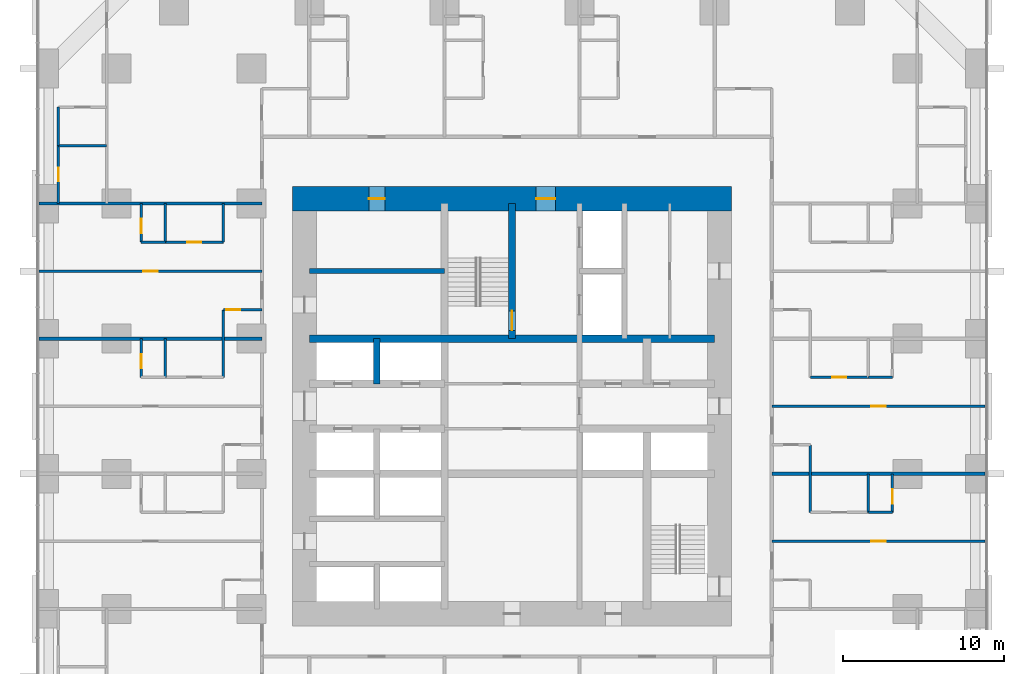
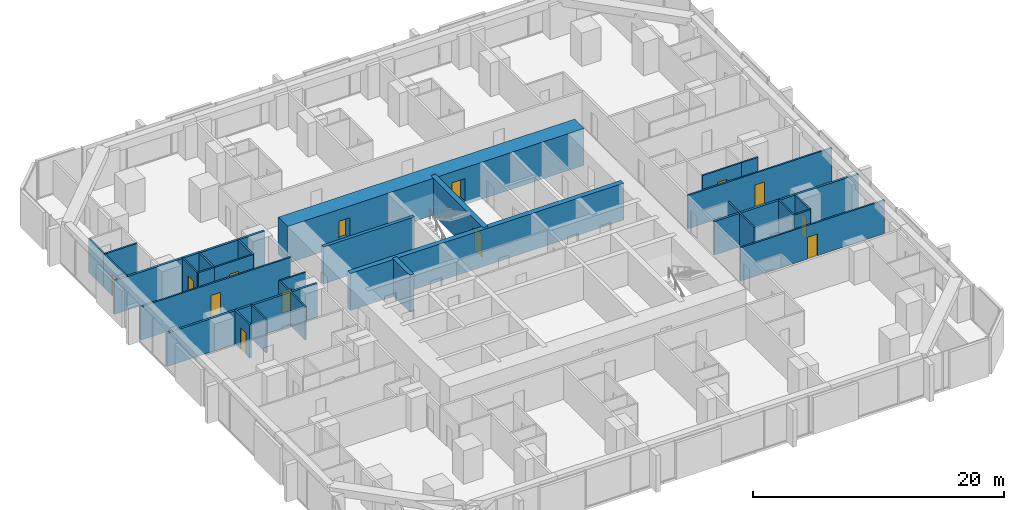
# One storey, part 14 of 17: 29 walls, 13 doors, 13 openings.
"""IFC4 building model written with IfcOpenShell, lengths in metres."""

from ifc_helpers import new_model, si_unit, direction, frame, frame_2d, origin, place, context, subcontext, project, spatial, rectangle, extrude, material, layer, layer_set, type_object, element, fill, save


model = new_model("IFC4")

# Units and contexts
model_context = context("Model", 3, precision=1e-05, world=origin(), true_north=direction((0.0, 1.0)))
body_context = subcontext(model_context, "Body", "Model", "MODEL_VIEW")
ifc_project = project(units=[si_unit("LENGTHUNIT", "METRE"), si_unit("AREAUNIT", "SQUARE_METRE"), si_unit("VOLUMEUNIT", "CUBIC_METRE"), si_unit("PLANEANGLEUNIT", "RADIAN"), si_unit("MASSUNIT", "GRAM", prefix="KILO")], contexts=[model_context])

# Site, building, storey
site_placement = place(None, origin())
site = spatial("IfcSite", under=ifc_project, at=site_placement, CompositionType="ELEMENT")
building_placement = place(site_placement, origin())
building = spatial("IfcBuilding", under=site, at=building_placement, Name="Dunama Terrace Hotel", CompositionType="ELEMENT")
storey_placement = place(building_placement, frame((0.0, 0.0, 55.800048828125)))
storey = spatial("IfcBuildingStorey", under=building, at=storey_placement, Name="L13", CompositionType="ELEMENT", Elevation=55.800048828125)

# Wall, opening, door
ifc_material_1 = material(Name="Gypsum board partition", Category="masonry")
ifc_layer_1 = layer(ifc_material_1, 0.14990234375)
ifc_layer_set_1 = layer_set([ifc_layer_1], Name="Bathroom partition 150")
wall_type_1 = type_object("IfcWallType", Name="Bathroom partition 150", PredefinedType="PARTITIONING", material=ifc_layer_set_1)
wall_1_placement = place(storey_placement, frame((1.199951171875, 42.0, 0.0), z_axis=(0.0, 0.0, 1.0), x_axis=(0.0, 1.0, 0.0)))
wall_1 = element("IfcWall", 1, at=wall_1_placement, inside=storey, type_object=wall_type_1, Name="Bathroom partition 150 L13", PredefinedType="PARTITIONING", context=body_context, shape_type="SweptSolid", body=[
    extrude(rectangle(XDim=3.60009765625, YDim=0.14990234375, at=frame_2d((1.800048828125, 0.0))), origin(), (0.0, 0.0, 1.0), 3.25),
])
opening_1_placement = place(wall_1_placement, frame((1.375, 0.0, 0.0)))
opening_1 = element("IfcOpeningElement", 2, at=opening_1_placement, cuts=wall_1, Name="Opening L13-14-075", PredefinedType="OPENING", context=body_context, shape_type="SweptSolid", body=[
    extrude(rectangle(XDim=0.85009765625, YDim=2.10009765625, at=frame_2d((0.425048828125, 1.050048828125))), frame((0.0, 0.0849609375, 0.0), z_axis=(0.0, -1.0, 0.0), x_axis=(1.0, 0.0, 0.0)), (0.0, 0.0, 1.0), 0.169921875),
])
ifc_material_2 = material(Name="Timber door with steel frame", Category="steel")
door_type_1 = type_object("IfcDoorType", Name="Bathroom door 850", OperationType="SINGLE_SWING_LEFT", PredefinedType="DOOR", material=ifc_material_2)
door_1_placement = place(opening_1_placement, frame((0.85009765625, 0.0, 0.0), z_axis=(0.0, 0.0, 1.0), x_axis=(-1.0, 0.0, 0.0)))
door_1 = element("IfcDoor", 3, at=door_1_placement, inside=storey, type_object=door_type_1, Name="Door to en-suite bathroom L13-14-075, type D2", OperationType="SINGLE_SWING_RIGHT", OverallHeight=2.10009765625, OverallWidth=0.85009765625, PredefinedType="DOOR", context=body_context, shape_type="SweptSolid", body=[
    extrude(rectangle(XDim=0.85009765625, YDim=2.10009765625, at=frame_2d((0.425048828125, 1.050048828125))), frame((0.0, 0.025146484375, 0.0), z_axis=(0.0, -1.0, 0.0), x_axis=(1.0, 0.0, 0.0)), (0.0, 0.0, 1.0), 0.050048828125),
])
fill(opening_1, door_1)

# Walls
wall_2_placement = place(storey_placement, frame((11.449951171875, 31.199951171875, 0.0), z_axis=(0.0, 0.0, 1.0), x_axis=(0.0, 1.0, 0.0)))
element("IfcWall", 4, at=wall_2_placement, inside=storey, type_object=wall_type_1, Name="Bathroom partition 150 L13", PredefinedType="PARTITIONING", context=body_context, shape_type="SweptSolid", body=[
    extrude(rectangle(XDim=4.199951171875, YDim=0.14990234375, at=frame_2d((2.10009765625, 0.0))), origin(), (0.0, 0.0, 1.0), 3.25),
])
wall_3_placement = place(storey_placement, frame((11.449951171875, 39.60009765625, 0.0), z_axis=(0.0, 0.0, 1.0), x_axis=(0.0, 1.0, 0.0)))
element("IfcWall", 5, at=wall_3_placement, inside=storey, type_object=wall_type_1, Name="Bathroom partition 150 L13", PredefinedType="PARTITIONING", context=body_context, shape_type="SweptSolid", body=[
    extrude(rectangle(XDim=2.39990234375, YDim=0.14990234375, at=frame_2d((1.199951171875, 0.0))), origin(), (0.0, 0.0, 1.0), 3.25),
])
wall_4_placement = place(storey_placement, frame((47.949951171875, 22.800048828125, 0.0), z_axis=(0.0, 0.0, 1.0), x_axis=(0.0, 1.0, 0.0)))
element("IfcWall", 6, at=wall_4_placement, inside=storey, type_object=wall_type_1, Name="Bathroom partition 150 L13", PredefinedType="PARTITIONING", context=body_context, shape_type="SweptSolid", body=[
    extrude(rectangle(XDim=4.199951171875, YDim=0.14990234375, at=frame_2d((2.10009765625, 0.0))), origin(), (0.0, 0.0, 1.0), 3.25),
])

# Wall, opening, door
wall_5_placement = place(storey_placement, frame((47.949951171875, 31.199951171875, 0.0), z_axis=(0.0, 0.0, 1.0), x_axis=(1.0, 0.0, 0.0)))
wall_5 = element("IfcWall", 7, at=wall_5_placement, inside=storey, type_object=wall_type_1, Name="Bathroom partition 150 L13", PredefinedType="PARTITIONING", context=body_context, shape_type="SweptSolid", body=[
    extrude(rectangle(XDim=3.60009765625, YDim=0.14990234375, at=frame_2d((1.800048828125, 0.0))), origin(), (0.0, 0.0, 1.0), 3.25),
])
opening_2_placement = place(wall_5_placement, frame((1.375, 0.0, 0.0)))
opening_2 = element("IfcOpeningElement", 8, at=opening_2_placement, cuts=wall_5, Name="Opening L13-14-026", PredefinedType="OPENING", context=body_context, shape_type="SweptSolid", body=[
    extrude(rectangle(XDim=0.85009765625, YDim=2.10009765625, at=frame_2d((0.425048828125, 1.050048828125))), frame((0.0, 0.0849609375, 0.0), z_axis=(0.0, -1.0, 0.0), x_axis=(1.0, 0.0, 0.0)), (0.0, 0.0, 1.0), 0.169921875),
])
door_2_placement = place(opening_2_placement, origin())
door_2 = element("IfcDoor", 9, at=door_2_placement, inside=storey, type_object=door_type_1, Name="Door to en-suite bathroom L13-14-026, type D2", OperationType="SINGLE_SWING_RIGHT", OverallHeight=2.10009765625, OverallWidth=0.85009765625, PredefinedType="DOOR", context=body_context, shape_type="SweptSolid", body=[
    extrude(rectangle(XDim=0.85009765625, YDim=2.10009765625, at=frame_2d((0.425048828125, 1.050048828125))), frame((0.0, 0.02490234375, 0.0), z_axis=(0.0, -1.0, 0.0), x_axis=(1.0, 0.0, 0.0)), (0.0, 0.0, 1.0), 0.050048828125),
])
fill(opening_2, door_2)

wall_6_placement = place(storey_placement, frame((11.449951171875, 35.39990234375, 0.0), z_axis=(0.0, 0.0, 1.0), x_axis=(1.0, 0.0, 0.0)))
wall_6 = element("IfcWall", 10, at=wall_6_placement, inside=storey, type_object=wall_type_1, Name="Bathroom partition 150 L13", PredefinedType="PARTITIONING", context=body_context, shape_type="SweptSolid", body=[
    extrude(rectangle(XDim=2.400146484375, YDim=0.14990234375, at=frame_2d((1.2001953125, 0.0))), origin(), (0.0, 0.0, 1.0), 3.25),
])
opening_3_placement = place(wall_6_placement, frame((0.199951171875, 0.0, 0.0)))
opening_3 = element("IfcOpeningElement", 11, at=opening_3_placement, cuts=wall_6, Name="Opening L13-14-053", PredefinedType="OPENING", context=body_context, shape_type="SweptSolid", body=[
    extrude(rectangle(XDim=0.85009765625, YDim=2.10009765625, at=frame_2d((0.425048828125, 1.050048828125))), frame((0.0, 0.0849609375, 0.0), z_axis=(0.0, -1.0, 0.0), x_axis=(1.0, 0.0, 0.0)), (0.0, 0.0, 1.0), 0.169921875),
])
door_3_placement = place(opening_3_placement, frame((0.85009765625, 0.0, 0.0), z_axis=(0.0, 0.0, 1.0), x_axis=(-1.0, 0.0, 0.0)))
door_3 = element("IfcDoor", 12, at=door_3_placement, inside=storey, type_object=door_type_1, Name="Door to powder room L13-14-053, type D2", OperationType="SINGLE_SWING_LEFT", OverallHeight=2.10009765625, OverallWidth=0.85009765625, PredefinedType="DOOR", context=body_context, shape_type="SweptSolid", body=[
    extrude(rectangle(XDim=0.85009765625, YDim=2.10009765625, at=frame_2d((0.425048828125, 1.050048828125))), frame((0.0, 0.025146484375, 0.0), z_axis=(0.0, -1.0, 0.0), x_axis=(1.0, 0.0, 0.0)), (0.0, 0.0, 1.0), 0.050048828125),
])
fill(opening_3, door_3)

wall_7_placement = place(storey_placement, frame((7.85009765625, 39.60009765625, 0.0), z_axis=(0.0, 0.0, 1.0), x_axis=(1.0, 0.0, 0.0)))
wall_7 = element("IfcWall", 13, at=wall_7_placement, inside=storey, type_object=wall_type_1, Name="Bathroom partition 150 L13", PredefinedType="PARTITIONING", context=body_context, shape_type="SweptSolid", body=[
    extrude(rectangle(XDim=3.599853515625, YDim=0.14990234375, at=frame_2d((1.7998046875, 0.0))), origin(), (0.0, 0.0, 1.0), 3.25),
])
opening_4_placement = place(wall_7_placement, frame((1.375, 0.0, 0.0)))
opening_4 = element("IfcOpeningElement", 14, at=opening_4_placement, cuts=wall_7, Name="Opening L13-14-055", PredefinedType="OPENING", context=body_context, shape_type="SweptSolid", body=[
    extrude(rectangle(XDim=0.85009765625, YDim=2.10009765625, at=frame_2d((0.425048828125, 1.050048828125))), frame((0.0, 0.0849609375, 0.0), z_axis=(0.0, -1.0, 0.0), x_axis=(1.0, 0.0, 0.0)), (0.0, 0.0, 1.0), 0.169921875),
])
door_4_placement = place(opening_4_placement, origin())
door_4 = element("IfcDoor", 15, at=door_4_placement, inside=storey, type_object=door_type_1, Name="Door to en-suite bathroom L13-14-055, type D2", OperationType="SINGLE_SWING_LEFT", OverallHeight=2.10009765625, OverallWidth=0.85009765625, PredefinedType="DOOR", context=body_context, shape_type="SweptSolid", body=[
    extrude(rectangle(XDim=0.85009765625, YDim=2.10009765625, at=frame_2d((0.425048828125, 1.050048828125))), frame((0.0, 0.02490234375, 0.0), z_axis=(0.0, -1.0, 0.0), x_axis=(1.0, 0.0, 0.0)), (0.0, 0.0, 1.0), 0.050048828125),
])
fill(opening_4, door_4)

# Walls
ifc_material_3 = material(Name="Concrete C50/60", Category="concrete")
ifc_layer_2 = layer(ifc_material_3, 0.300048828125)
ifc_layer_set_2 = layer_set([ifc_layer_2], Name="Core inner wall 300")
wall_type_2 = type_object("IfcWallType", Name="Core inner wall 300", PredefinedType="SHEAR", material=ifc_layer_set_2)
wall_8_placement = place(storey_placement, frame((16.800048828125, 37.800048828125, -0.35009765625), z_axis=(0.0, 0.0, 1.0), x_axis=(1.0, 0.0, 0.0)))
element("IfcWall", 16, at=wall_8_placement, inside=storey, type_object=wall_type_2, Name="Core inner wall 300 L13", PredefinedType="SHEAR", context=body_context, shape_type="SweptSolid", body=[
    extrude(rectangle(XDim=8.39990234375, YDim=0.300048828125, at=frame_2d((4.199951171875, 0.0))), origin(), (0.0, 0.0, 1.0), 3.60009765625),
])
ifc_material_4 = material(Name="Concrete C50/60", Category="concrete")
ifc_layer_3 = layer(ifc_material_4, 0.39990234375)
ifc_layer_set_3 = layer_set([ifc_layer_3], Name="Core inner wall 400")
wall_type_3 = type_object("IfcWallType", Name="Core inner wall 400", PredefinedType="SHEAR", material=ifc_layer_set_3)
wall_9_placement = place(storey_placement, frame((21.0, 30.800048828125, -0.35009765625), z_axis=(0.0, 0.0, 1.0), x_axis=(0.0, 1.0, 0.0)))
element("IfcWall", 17, at=wall_9_placement, inside=storey, type_object=wall_type_3, Name="Core inner wall 400 L13", PredefinedType="SHEAR", context=body_context, shape_type="SweptSolid", body=[
    extrude(rectangle(XDim=2.800048828125, YDim=0.39990234375, at=frame_2d((1.39990234375, 0.0))), origin(), (0.0, 0.0, 1.0), 3.60009765625),
])

# Wall, opening, door
ifc_material_5 = material(Name="Concrete C50/60", Category="concrete")
ifc_layer_4 = layer(ifc_material_5, 0.449951171875)
ifc_layer_set_4 = layer_set([ifc_layer_4], Name="Core inner wall 450")
wall_type_4 = type_object("IfcWallType", Name="Core inner wall 450", PredefinedType="SHEAR", material=ifc_layer_set_4)
wall_10_placement = place(storey_placement, frame((29.39990234375, 33.60009765625, -0.35009765625), z_axis=(0.0, 0.0, 1.0), x_axis=(0.0, 1.0, 0.0)))
wall_10 = element("IfcWall", 18, at=wall_10_placement, inside=storey, type_object=wall_type_4, Name="Core inner wall 450 L13", PredefinedType="SHEAR", context=body_context, shape_type="SweptSolid", body=[
    extrude(rectangle(XDim=8.39990234375, YDim=0.449951171875, at=frame_2d((4.199951171875, 0.0))), origin(), (0.0, 0.0, 1.0), 3.60009765625),
])
opening_5_placement = place(wall_10_placement, frame((0.52490234375, 0.0, 0.35009765625)))
opening_5 = element("IfcOpeningElement", 19, at=opening_5_placement, cuts=wall_10, Name="Opening L13-14-001", PredefinedType="OPENING", context=body_context, shape_type="SweptSolid", body=[
    extrude(rectangle(XDim=1.199951171875, YDim=2.199951171875, at=frame_2d((0.60009765625, 1.10009765625))), frame((0.0, 0.23486328125, 0.0), z_axis=(0.0, -1.0, 0.0), x_axis=(1.0, 0.0, 0.0)), (0.0, 0.0, 1.0), 0.469970703125),
])
ifc_material_6 = material(Name="Timber door with steel frame", Category="steel")
door_type_2 = type_object("IfcDoorType", Name="Stair door 1200", OperationType="SINGLE_SWING_LEFT", PredefinedType="DOOR", material=ifc_material_6)
door_5_placement = place(opening_5_placement, origin())
door_5 = element("IfcDoor", 20, at=door_5_placement, inside=storey, type_object=door_type_2, Name="Stair door ST1 L13-14-001, type D5", OperationType="SINGLE_SWING_LEFT", OverallHeight=2.199951171875, OverallWidth=1.199951171875, PredefinedType="DOOR", context=body_context, shape_type="SweptSolid", body=[
    extrude(rectangle(XDim=1.199951171875, YDim=2.199951171875, at=frame_2d((0.60009765625, 1.10009765625))), frame((0.0, 0.02490234375, 0.0), z_axis=(0.0, -1.0, 0.0), x_axis=(1.0, 0.0, 0.0)), (0.0, 0.0, 1.0), 0.050048828125),
])
fill(opening_5, door_5)

# Wall
wall_11_placement = place(storey_placement, frame((16.800048828125, 33.60009765625, -0.35009765625), z_axis=(0.0, 0.0, 1.0), x_axis=(1.0, 0.0, 0.0)))
element("IfcWall", 21, at=wall_11_placement, inside=storey, type_object=wall_type_4, Name="Core inner wall 450 L13", PredefinedType="SHEAR", context=body_context, shape_type="SweptSolid", body=[
    extrude(rectangle(XDim=25.199951171875, YDim=0.449951171875, at=frame_2d((12.60009765625, 0.0))), origin(), (0.0, 0.0, 1.0), 3.60009765625),
])

# Wall, openings, doors
ifc_material_7 = material(Name="Concrete C60/75", Category="concrete")
ifc_layer_5 = layer(ifc_material_7, 1.5)
ifc_layer_set_5 = layer_set([ifc_layer_5], Name="Core wall 1500")
wall_type_5 = type_object("IfcWallType", Name="Core wall 1500", PredefinedType="SHEAR", material=ifc_layer_set_5)
wall_12_placement = place(storey_placement, frame((43.050048828125, 42.300048828125, -0.35009765625), z_axis=(0.0, 0.0, 1.0), x_axis=(-1.0, 0.0, 0.0)))
wall_12 = element("IfcWall", 22, at=wall_12_placement, inside=storey, type_object=wall_type_5, Name="Core wall north L13", PredefinedType="SHEAR", context=body_context, shape_type="SweptSolid", body=[
    extrude(rectangle(XDim=27.300048828125, YDim=1.5, at=frame_2d((13.64990234375, 0.0))), origin(), (0.0, 0.0, 1.0), 3.60009765625),
])
opening_6_placement = place(wall_12_placement, frame((21.550048828125, 0.0, 0.35009765625)))
opening_6 = element("IfcOpeningElement", 23, at=opening_6_placement, cuts=wall_12, Name="Opening L13-14-080", PredefinedType="OPENING", context=body_context, shape_type="SweptSolid", body=[
    extrude(rectangle(XDim=1.0, YDim=2.10009765625, at=frame_2d((0.5, 1.050048828125))), frame((0.0, 0.760009765625, 0.0), z_axis=(0.0, -1.0, 0.0), x_axis=(1.0, 0.0, 0.0)), (0.0, 0.0, 1.0), 1.52001953125),
])
opening_7_placement = place(wall_12_placement, frame((10.949951171875, 0.0, 0.35009765625)))
opening_7 = element("IfcOpeningElement", 24, at=opening_7_placement, cuts=wall_12, Name="Opening L13-14-087", PredefinedType="OPENING", context=body_context, shape_type="SweptSolid", body=[
    extrude(rectangle(XDim=1.199951171875, YDim=2.199951171875, at=frame_2d((0.60009765625, 1.10009765625))), frame((0.0, 0.760009765625, 0.0), z_axis=(0.0, -1.0, 0.0), x_axis=(1.0, 0.0, 0.0)), (0.0, 0.0, 1.0), 1.52001953125),
])
ifc_material_8 = material(Name="Timber door with steel frame", Category="steel")
door_type_3 = type_object("IfcDoorType", Name="Firefighting lobby door 1200", OperationType="SINGLE_SWING_LEFT", PredefinedType="DOOR", material=ifc_material_8)
door_6_placement = place(opening_7_placement, origin())
door_6 = element("IfcDoor", 25, at=door_6_placement, inside=storey, type_object=door_type_3, Name="Door to firefighting lobby L13-14-087, type D4", OperationType="SINGLE_SWING_RIGHT", OverallHeight=2.199951171875, OverallWidth=1.199951171875, PredefinedType="DOOR", context=body_context, shape_type="SweptSolid", body=[
    extrude(rectangle(XDim=1.199951171875, YDim=2.199951171875, at=frame_2d((0.60009765625, 1.10009765625))), frame((0.0, 0.02490234375, 0.0), z_axis=(0.0, -1.0, 0.0), x_axis=(1.0, 0.0, 0.0)), (0.0, 0.0, 1.0), 0.050048828125),
])
fill(opening_7, door_6)
ifc_material_9 = material(Name="Timber door with steel frame", Category="steel")
door_type_4 = type_object("IfcDoorType", Name="Service door 1000", OperationType="SINGLE_SWING_LEFT", PredefinedType="DOOR", material=ifc_material_9)
door_7_placement = place(opening_6_placement, origin())
door_7 = element("IfcDoor", 26, at=door_7_placement, inside=storey, type_object=door_type_4, Name="Door to communications and riser room L13-14-080, type D7", OperationType="SINGLE_SWING_RIGHT", OverallHeight=2.10009765625, OverallWidth=1.0, PredefinedType="DOOR", context=body_context, shape_type="SweptSolid", body=[
    extrude(rectangle(XDim=1.0, YDim=2.10009765625, at=frame_2d((0.5, 1.050048828125))), frame((0.0, 0.02490234375, 0.0), z_axis=(0.0, -1.0, 0.0), x_axis=(1.0, 0.0, 0.0)), (0.0, 0.0, 1.0), 0.050048828125),
])
fill(opening_6, door_7)

# Walls
ifc_material_10 = material(Name="Concrete blockwork", Category="masonry")
ifc_layer_6 = layer(ifc_material_10, 0.199951171875)
ifc_layer_set_6 = layer_set([ifc_layer_6], Name="Party wall 200")
wall_type_6 = type_object("IfcWallType", Name="Party wall 200", PredefinedType="PARTITIONING", material=ifc_layer_set_6)
wall_13_placement = place(storey_placement, frame((45.550048828125, 25.199951171875, 0.0), z_axis=(0.0, 0.0, 1.0), x_axis=(1.0, 0.0, 0.0)))
element("IfcWall", 27, at=wall_13_placement, inside=storey, type_object=wall_type_6, Name="Party wall 200 L13", PredefinedType="PARTITIONING", context=body_context, shape_type="SweptSolid", body=[
    extrude(rectangle(XDim=13.258056640625, YDim=0.199951171875, at=frame_2d((6.62890625, 0.0))), origin(), (0.0, 0.0, 1.0), 3.25),
])
for number, where, z_axis, x_axis, name in (
    (28, (-0.008056640625, 33.60009765625, 0.0), (0.0, 0.0, 1.0), (1.0, 0.0, 0.0), "Party wall 200 L13"),
    (29, (-0.008056640625, 42.0, 0.0), (0.0, 0.0, 1.0), (1.0, 0.0, 0.0), "Party wall 200 L13"),
):
    element("IfcWall", number, at=place(storey_placement, frame(where, z_axis=z_axis, x_axis=x_axis)), inside=storey, type_object=wall_type_6, Name=name, PredefinedType="PARTITIONING", context=body_context, shape_type="SweptSolid", body=[
        extrude(rectangle(XDim=13.858154296875, YDim=0.199951171875, at=frame_2d((6.92919921875, 0.0))), origin(), (0.0, 0.0, 1.0), 3.25),
    ])
ifc_material_11 = material(Name="Gypsum board partition", Category="masonry")
ifc_layer_7 = layer(ifc_material_11, 0.14990234375)
ifc_layer_set_7 = layer_set([ifc_layer_7], Name="Room partition 150")
wall_type_7 = type_object("IfcWallType", Name="Room partition 150", PredefinedType="PARTITIONING", material=ifc_layer_set_7)
wall_14_placement = place(storey_placement, frame((1.199951171875, 45.60009765625, 0.0), z_axis=(0.0, 0.0, 1.0), x_axis=(0.0, 1.0, 0.0)))
element("IfcWall", 30, at=wall_14_placement, inside=storey, type_object=wall_type_7, Name="Room partition 150 L13", PredefinedType="PARTITIONING", context=body_context, shape_type="SweptSolid", body=[
    extrude(rectangle(XDim=2.39990234375, YDim=0.14990234375, at=frame_2d((1.199951171875, 0.0))), origin(), (0.0, 0.0, 1.0), 3.25),
])

# Wall, opening, door
wall_15_placement = place(storey_placement, frame((6.35009765625, 31.199951171875, 0.0), z_axis=(0.0, 0.0, 1.0), x_axis=(0.0, 1.0, 0.0)))
wall_15 = element("IfcWall", 31, at=wall_15_placement, inside=storey, type_object=wall_type_7, Name="Room partition 150 L13", PredefinedType="PARTITIONING", context=body_context, shape_type="SweptSolid", body=[
    extrude(rectangle(XDim=2.400146484375, YDim=0.14990234375, at=frame_2d((1.2001953125, 0.0))), origin(), (0.0, 0.0, 1.0), 3.25),
])
opening_8_placement = place(wall_15_placement, frame((0.550048828125, 0.0, 0.0)))
opening_8 = element("IfcOpeningElement", 32, at=opening_8_placement, cuts=wall_15, Name="Opening L13-14-051", PredefinedType="OPENING", context=body_context, shape_type="SweptSolid", body=[
    extrude(rectangle(XDim=0.89990234375, YDim=2.10009765625, at=frame_2d((0.449951171875, 1.050048828125))), frame((0.0, 0.0849609375, 0.0), z_axis=(0.0, -1.0, 0.0), x_axis=(1.0, 0.0, 0.0)), (0.0, 0.0, 1.0), 0.169921875),
])
ifc_material_12 = material(Name="Timber door with steel frame", Category="steel")
door_type_5 = type_object("IfcDoorType", Name="Suite internal door 900", OperationType="SINGLE_SWING_LEFT", PredefinedType="DOOR", material=ifc_material_12)
door_8_placement = place(opening_8_placement, frame((0.89990234375, 0.0, 0.0), z_axis=(0.0, 0.0, 1.0), x_axis=(-1.0, 0.0, 0.0)))
door_8 = element("IfcDoor", 33, at=door_8_placement, inside=storey, type_object=door_type_5, Name="Door to walk-in wardrobe L13-14-051, type D16", OperationType="SINGLE_SWING_RIGHT", OverallHeight=2.10009765625, OverallWidth=0.89990234375, PredefinedType="DOOR", context=body_context, shape_type="SweptSolid", body=[
    extrude(rectangle(XDim=0.89990234375, YDim=2.10009765625, at=frame_2d((0.449951171875, 1.050048828125))), frame((0.0, 0.025146484375, 0.0), z_axis=(0.0, -1.0, 0.0), x_axis=(1.0, 0.0, 0.0)), (0.0, 0.0, 1.0), 0.050048828125),
])
fill(opening_8, door_8)

wall_16_placement = place(storey_placement, frame((6.35009765625, 39.60009765625, 0.0), z_axis=(0.0, 0.0, 1.0), x_axis=(0.0, 1.0, 0.0)))
wall_16 = element("IfcWall", 34, at=wall_16_placement, inside=storey, type_object=wall_type_7, Name="Room partition 150 L13", PredefinedType="PARTITIONING", context=body_context, shape_type="SweptSolid", body=[
    extrude(rectangle(XDim=2.39990234375, YDim=0.14990234375, at=frame_2d((1.199951171875, 0.0))), origin(), (0.0, 0.0, 1.0), 3.25),
])
opening_9_placement = place(wall_16_placement, frame((0.550048828125, 0.0, 0.0)))
opening_9 = element("IfcOpeningElement", 35, at=opening_9_placement, cuts=wall_16, Name="Opening L13-14-056", PredefinedType="OPENING", context=body_context, shape_type="SweptSolid", body=[
    extrude(rectangle(XDim=0.89990234375, YDim=2.10009765625, at=frame_2d((0.449951171875, 1.050048828125))), frame((0.0, 0.0849609375, 0.0), z_axis=(0.0, -1.0, 0.0), x_axis=(1.0, 0.0, 0.0)), (0.0, 0.0, 1.0), 0.169921875),
])
door_9_placement = place(opening_9_placement, frame((0.89990234375, 0.0, 0.0), z_axis=(0.0, 0.0, 1.0), x_axis=(-1.0, 0.0, 0.0)))
door_9 = element("IfcDoor", 36, at=door_9_placement, inside=storey, type_object=door_type_5, Name="Door to walk-in wardrobe L13-14-056, type D16", OperationType="SINGLE_SWING_RIGHT", OverallHeight=2.10009765625, OverallWidth=0.89990234375, PredefinedType="DOOR", context=body_context, shape_type="SweptSolid", body=[
    extrude(rectangle(XDim=0.89990234375, YDim=2.10009765625, at=frame_2d((0.449951171875, 1.050048828125))), frame((0.0, 0.025146484375, 0.0), z_axis=(0.0, -1.0, 0.0), x_axis=(1.0, 0.0, 0.0)), (0.0, 0.0, 1.0), 0.050048828125),
])
fill(opening_9, door_9)

# Walls
wall_17_placement = place(storey_placement, frame((7.85009765625, 31.199951171875, 0.0), z_axis=(0.0, 0.0, 1.0), x_axis=(0.0, 1.0, 0.0)))
element("IfcWall", 37, at=wall_17_placement, inside=storey, type_object=wall_type_7, Name="Room partition 150 L13", PredefinedType="PARTITIONING", context=body_context, shape_type="SweptSolid", body=[
    extrude(rectangle(XDim=2.400146484375, YDim=0.14990234375, at=frame_2d((1.2001953125, 0.0))), origin(), (0.0, 0.0, 1.0), 3.25),
])
for number, where, z_axis, x_axis, name in (
    (38, (7.85009765625, 39.60009765625, 0.0), (0.0, 0.0, 1.0), (0.0, 1.0, 0.0), "Room partition 150 L13"),
    (39, (51.550048828125, 22.800048828125, 0.0), (0.0, 0.0, 1.0), (0.0, 1.0, 0.0), "Room partition 150 L13"),
):
    element("IfcWall", number, at=place(storey_placement, frame(where, z_axis=z_axis, x_axis=x_axis)), inside=storey, type_object=wall_type_7, Name=name, PredefinedType="PARTITIONING", context=body_context, shape_type="SweptSolid", body=[
        extrude(rectangle(XDim=2.39990234375, YDim=0.14990234375, at=frame_2d((1.199951171875, 0.0))), origin(), (0.0, 0.0, 1.0), 3.25),
    ])

# Wall, opening, door
wall_18_placement = place(storey_placement, frame((53.050048828125, 22.800048828125, 0.0), z_axis=(0.0, 0.0, 1.0), x_axis=(0.0, 1.0, 0.0)))
wall_18 = element("IfcWall", 40, at=wall_18_placement, inside=storey, type_object=wall_type_7, Name="Room partition 150 L13", PredefinedType="PARTITIONING", context=body_context, shape_type="SweptSolid", body=[
    extrude(rectangle(XDim=2.39990234375, YDim=0.14990234375, at=frame_2d((1.199951171875, 0.0))), origin(), (0.0, 0.0, 1.0), 3.25),
])
opening_10_placement = place(wall_18_placement, frame((0.550048828125, 0.0, 0.0)))
opening_10 = element("IfcOpeningElement", 41, at=opening_10_placement, cuts=wall_18, Name="Opening L13-14-022", PredefinedType="OPENING", context=body_context, shape_type="SweptSolid", body=[
    extrude(rectangle(XDim=0.89990234375, YDim=2.10009765625, at=frame_2d((0.449951171875, 1.050048828125))), frame((0.0, 0.0849609375, 0.0), z_axis=(0.0, -1.0, 0.0), x_axis=(1.0, 0.0, 0.0)), (0.0, 0.0, 1.0), 0.169921875),
])
door_10_placement = place(opening_10_placement, origin())
door_10 = element("IfcDoor", 42, at=door_10_placement, inside=storey, type_object=door_type_5, Name="Door to walk-in wardrobe L13-14-022, type D16", OperationType="SINGLE_SWING_RIGHT", OverallHeight=2.10009765625, OverallWidth=0.89990234375, PredefinedType="DOOR", context=body_context, shape_type="SweptSolid", body=[
    extrude(rectangle(XDim=0.89990234375, YDim=2.10009765625, at=frame_2d((0.449951171875, 1.050048828125))), frame((0.0, 0.02490234375, 0.0), z_axis=(0.0, -1.0, 0.0), x_axis=(1.0, 0.0, 0.0)), (0.0, 0.0, 1.0), 0.050048828125),
])
fill(opening_10, door_10)

wall_19_placement = place(storey_placement, frame((45.550048828125, 21.0, 0.0), z_axis=(0.0, 0.0, 1.0), x_axis=(1.0, 0.0, 0.0)))
wall_19 = element("IfcWall", 43, at=wall_19_placement, inside=storey, type_object=wall_type_7, Name="Room partition 150 L13", PredefinedType="PARTITIONING", context=body_context, shape_type="SweptSolid", body=[
    extrude(rectangle(XDim=13.258056640625, YDim=0.14990234375, at=frame_2d((6.62890625, 0.0))), origin(), (0.0, 0.0, 1.0), 3.25),
])
opening_11_placement = place(wall_19_placement, frame((6.175048828125, 0.0, 0.0)))
opening_11 = element("IfcOpeningElement", 44, at=opening_11_placement, cuts=wall_19, Name="Opening L13-14-020", PredefinedType="OPENING", context=body_context, shape_type="SweptSolid", body=[
    extrude(rectangle(XDim=0.89990234375, YDim=2.10009765625, at=frame_2d((0.449951171875, 1.050048828125))), frame((0.0, 0.0849609375, 0.0), z_axis=(0.0, -1.0, 0.0), x_axis=(1.0, 0.0, 0.0)), (0.0, 0.0, 1.0), 0.169921875),
])
door_11_placement = place(opening_11_placement, origin())
door_11 = element("IfcDoor", 45, at=door_11_placement, inside=storey, type_object=door_type_5, Name="Door to executive suite bedroom L13-14-020, type D16", OperationType="SINGLE_SWING_LEFT", OverallHeight=2.10009765625, OverallWidth=0.89990234375, PredefinedType="DOOR", context=body_context, shape_type="SweptSolid", body=[
    extrude(rectangle(XDim=0.89990234375, YDim=2.10009765625, at=frame_2d((0.449951171875, 1.050048828125))), frame((0.0, 0.02490234375, 0.0), z_axis=(0.0, -1.0, 0.0), x_axis=(1.0, 0.0, 0.0)), (0.0, 0.0, 1.0), 0.050048828125),
])
fill(opening_11, door_11)

# Wall
wall_20_placement = place(storey_placement, frame((51.550048828125, 22.800048828125, 0.0), z_axis=(0.0, 0.0, 1.0), x_axis=(1.0, 0.0, 0.0)))
element("IfcWall", 46, at=wall_20_placement, inside=storey, type_object=wall_type_7, Name="Room partition 150 L13", PredefinedType="PARTITIONING", context=body_context, shape_type="SweptSolid", body=[
    extrude(rectangle(XDim=1.5, YDim=0.14990234375, at=frame_2d((0.75, 0.0))), origin(), (0.0, 0.0, 1.0), 3.25),
])

# Wall, opening, door
wall_21_placement = place(storey_placement, frame((45.550048828125, 29.39990234375, 0.0), z_axis=(0.0, 0.0, 1.0), x_axis=(1.0, 0.0, 0.0)))
wall_21 = element("IfcWall", 47, at=wall_21_placement, inside=storey, type_object=wall_type_7, Name="Room partition 150 L13", PredefinedType="PARTITIONING", context=body_context, shape_type="SweptSolid", body=[
    extrude(rectangle(XDim=13.258056640625, YDim=0.14990234375, at=frame_2d((6.62890625, 0.0))), origin(), (0.0, 0.0, 1.0), 3.25),
])
opening_12_placement = place(wall_21_placement, frame((6.175048828125, 0.0, 0.0)))
opening_12 = element("IfcOpeningElement", 48, at=opening_12_placement, cuts=wall_21, Name="Opening L13-14-025", PredefinedType="OPENING", context=body_context, shape_type="SweptSolid", body=[
    extrude(rectangle(XDim=0.89990234375, YDim=2.10009765625, at=frame_2d((0.449951171875, 1.050048828125))), frame((0.0, 0.0849609375, 0.0), z_axis=(0.0, -1.0, 0.0), x_axis=(1.0, 0.0, 0.0)), (0.0, 0.0, 1.0), 0.169921875),
])
door_12_placement = place(opening_12_placement, origin())
door_12 = element("IfcDoor", 49, at=door_12_placement, inside=storey, type_object=door_type_5, Name="Door to executive suite bedroom L13-14-025, type D16", OperationType="SINGLE_SWING_LEFT", OverallHeight=2.10009765625, OverallWidth=0.89990234375, PredefinedType="DOOR", context=body_context, shape_type="SweptSolid", body=[
    extrude(rectangle(XDim=0.89990234375, YDim=2.10009765625, at=frame_2d((0.449951171875, 1.050048828125))), frame((0.0, 0.02490234375, 0.0), z_axis=(0.0, -1.0, 0.0), x_axis=(1.0, 0.0, 0.0)), (0.0, 0.0, 1.0), 0.050048828125),
])
fill(opening_12, door_12)

# Wall
wall_22_placement = place(storey_placement, frame((51.550048828125, 31.199951171875, 0.0), z_axis=(0.0, 0.0, 1.0), x_axis=(1.0, 0.0, 0.0)))
element("IfcWall", 50, at=wall_22_placement, inside=storey, type_object=wall_type_7, Name="Room partition 150 L13", PredefinedType="PARTITIONING", context=body_context, shape_type="SweptSolid", body=[
    extrude(rectangle(XDim=1.5, YDim=0.14990234375, at=frame_2d((0.75, 0.0))), origin(), (0.0, 0.0, 1.0), 3.25),
])

# Wall, opening, door
wall_23_placement = place(storey_placement, frame((-0.008056640625, 37.800048828125, 0.0), z_axis=(0.0, 0.0, 1.0), x_axis=(1.0, 0.0, 0.0)))
wall_23 = element("IfcWall", 51, at=wall_23_placement, inside=storey, type_object=wall_type_7, Name="Room partition 150 L13", PredefinedType="PARTITIONING", context=body_context, shape_type="SweptSolid", body=[
    extrude(rectangle(XDim=13.858154296875, YDim=0.14990234375, at=frame_2d((6.92919921875, 0.0))), origin(), (0.0, 0.0, 1.0), 3.25),
])
opening_13_placement = place(wall_23_placement, frame((6.48291015625, 0.0, 0.0)))
opening_13 = element("IfcOpeningElement", 52, at=opening_13_placement, cuts=wall_23, Name="Opening L13-14-054", PredefinedType="OPENING", context=body_context, shape_type="SweptSolid", body=[
    extrude(rectangle(XDim=0.89990234375, YDim=2.10009765625, at=frame_2d((0.449951171875, 1.050048828125))), frame((0.0, 0.0849609375, 0.0), z_axis=(0.0, -1.0, 0.0), x_axis=(1.0, 0.0, 0.0)), (0.0, 0.0, 1.0), 0.169921875),
])
door_13_placement = place(opening_13_placement, origin())
door_13 = element("IfcDoor", 53, at=door_13_placement, inside=storey, type_object=door_type_5, Name="Door to executive suite bedroom L13-14-054, type D16", OperationType="SINGLE_SWING_LEFT", OverallHeight=2.10009765625, OverallWidth=0.89990234375, PredefinedType="DOOR", context=body_context, shape_type="SweptSolid", body=[
    extrude(rectangle(XDim=0.89990234375, YDim=2.10009765625, at=frame_2d((0.449951171875, 1.050048828125))), frame((0.0, 0.02490234375, 0.0), z_axis=(0.0, -1.0, 0.0), x_axis=(1.0, 0.0, 0.0)), (0.0, 0.0, 1.0), 0.050048828125),
])
fill(opening_13, door_13)

# Walls
wall_24_placement = place(storey_placement, frame((6.35009765625, 39.60009765625, 0.0), z_axis=(0.0, 0.0, 1.0), x_axis=(1.0, 0.0, 0.0)))
element("IfcWall", 54, at=wall_24_placement, inside=storey, type_object=wall_type_7, Name="Room partition 150 L13", PredefinedType="PARTITIONING", context=body_context, shape_type="SweptSolid", body=[
    extrude(rectangle(XDim=1.5, YDim=0.14990234375, at=frame_2d((0.75, 0.0))), origin(), (0.0, 0.0, 1.0), 3.25),
])
wall_25_placement = place(storey_placement, frame((1.199951171875, 45.60009765625, 0.0), z_axis=(0.0, 0.0, 1.0), x_axis=(1.0, 0.0, 0.0)))
element("IfcWall", 55, at=wall_25_placement, inside=storey, type_object=wall_type_7, Name="Room partition 150 L13", PredefinedType="PARTITIONING", context=body_context, shape_type="SweptSolid", body=[
    extrude(rectangle(XDim=3.0, YDim=0.14990234375, at=frame_2d((1.5, 0.0))), origin(), (0.0, 0.0, 1.0), 3.25),
])

save(model, "model.ifc")
